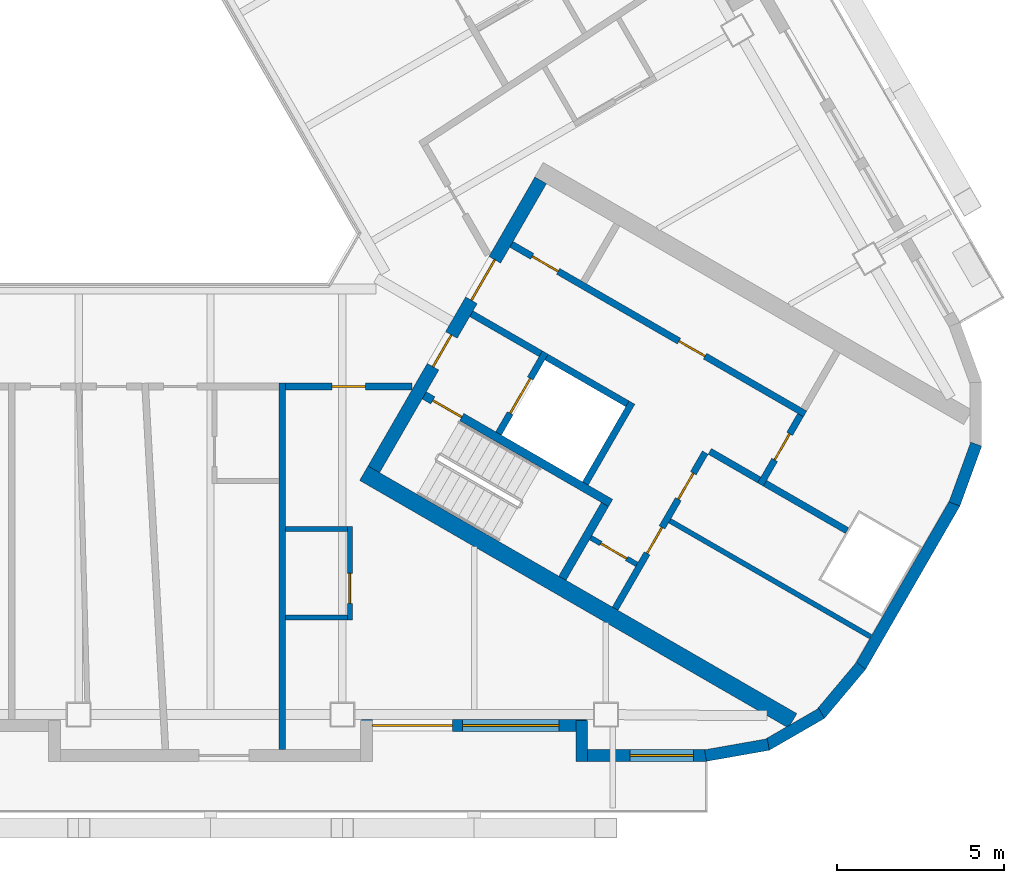
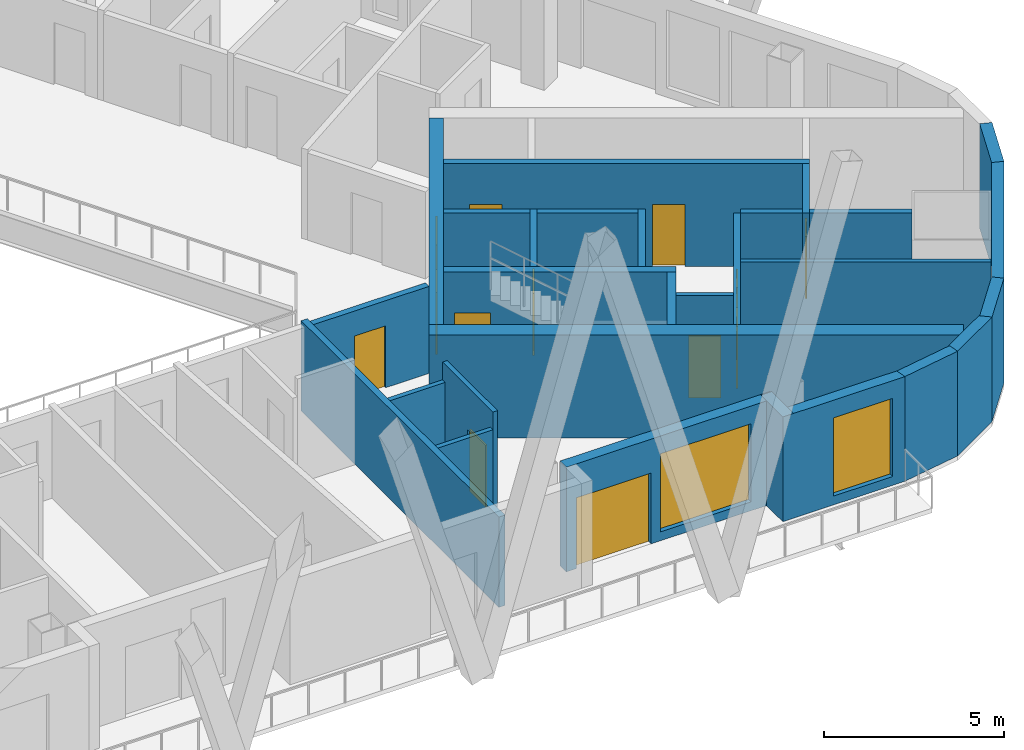
# One storey, part 5 of 14: 28 walls, 13 doors, 2 windows, 15 openings.
"""IFC4 building model written with IfcOpenShell, lengths in metres."""

from ifc_helpers import new_model, si_unit, direction, frame, frame_2d, origin, place, context, subcontext, project, spatial, rectangle, extrude, material, layer, layer_set, type_object, element, fill, save


model = new_model("IFC4")

# Units and contexts
model_context = context("Model", 3, precision=1e-05, world=origin(), true_north=direction((0.0, 1.0)))
body_context = subcontext(model_context, "Body", "Model", "MODEL_VIEW")
ifc_project = project(units=[si_unit("LENGTHUNIT", "METRE"), si_unit("AREAUNIT", "SQUARE_METRE"), si_unit("VOLUMEUNIT", "CUBIC_METRE"), si_unit("PLANEANGLEUNIT", "RADIAN"), si_unit("MASSUNIT", "GRAM", prefix="KILO")], contexts=[model_context])

# Site, building, storey
site_placement = place(None, origin())
site = spatial("IfcSite", under=ifc_project, at=site_placement, CompositionType="ELEMENT")
building_placement = place(site_placement, origin())
building = spatial("IfcBuilding", under=site, at=building_placement, Name="Apuvela Tower Hotel", CompositionType="ELEMENT")
storey_placement = place(building_placement, frame((0.0, 0.0, 224.300048828125)))
storey = spatial("IfcBuildingStorey", under=building, at=storey_placement, Name="L55", CompositionType="ELEMENT", Elevation=224.300048828125)

# Wall, openings, doors
ifc_material_1 = material(Name="Concrete C50/60", Category="concrete")
ifc_layer_1 = layer(ifc_material_1, 0.39990234375)
ifc_layer_set_1 = layer_set([ifc_layer_1], Name="COR-WALL-CORE-400")
wall_type_1 = type_object("IfcWallType", Name="COR-WALL-CORE-400", PredefinedType="SHEAR", material=ifc_layer_set_1)
wall_1_placement = place(storey_placement, frame((8.844970703125, -10.880126953125, 0.0), z_axis=(0.0, 0.0, 1.0), x_axis=(0.500004234368, 0.866022959057, 0.0)))
wall_1 = element("IfcWall", 1, at=wall_1_placement, inside=storey, type_object=wall_type_1, Name="Core wall SE", PredefinedType="SHEAR", context=body_context, shape_type="SweptSolid", body=[
    extrude(rectangle(XDim=10.0, YDim=0.39990234375, at=frame_2d((5.0, 0.0))), origin(), (0.0, 0.0, 1.0), 3.5),
])
opening_1_placement = place(wall_1_placement, frame((3.550048828125, 0.0, 0.0)))
opening_1 = element("IfcOpeningElement", 2, at=opening_1_placement, cuts=wall_1, Name="Opening E-FD", PredefinedType="OPENING", context=body_context, shape_type="SweptSolid", body=[
    extrude(rectangle(XDim=1.10009765625, YDim=2.10009765625, at=frame_2d((0.550048828125, 1.050048828125))), frame((0.0, 0.2099609375, 0.0), z_axis=(0.0, -1.0, 0.0), x_axis=(1.0, 0.0, 0.0)), (0.0, 0.0, 1.0), 0.419921875),
])
opening_2_placement = place(wall_1_placement, frame((5.85009765625, 0.0, 0.0)))
opening_2 = element("IfcOpeningElement", 3, at=opening_2_placement, cuts=wall_1, Name="Opening E-GD", PredefinedType="OPENING", context=body_context, shape_type="SweptSolid", body=[
    extrude(rectangle(XDim=1.39990234375, YDim=2.10009765625, at=frame_2d((0.699951171875, 1.050048828125))), frame((0.0, 0.2099609375, 0.0), z_axis=(0.0, -1.0, 0.0), x_axis=(1.0, 0.0, 0.0)), (0.0, 0.0, 1.0), 0.419921875),
])
ifc_material_2 = material(Name="Steel fire door, powder coated", Category="steel")
door_type_1 = type_object("IfcDoorType", Name="COR-FD-1100", OperationType="NOTDEFINED", PredefinedType="DOOR", material=ifc_material_2)
door_1_placement = place(opening_1_placement, frame((1.10009765625, 0.0, 0.0), z_axis=(0.0, 0.0, 1.0), x_axis=(-1.0, 0.0, 0.0)))
door_1 = element("IfcDoor", 4, at=door_1_placement, inside=storey, type_object=door_type_1, Name="Firefighting lobby door E-FD", OperationType="SINGLE_SWING_LEFT", OverallHeight=2.10009765625, OverallWidth=1.10009765625, PredefinedType="DOOR", context=body_context, shape_type="SweptSolid", body=[
    extrude(rectangle(XDim=1.10009765625, YDim=2.10009765625, at=frame_2d((0.550048828125, 1.050048828125))), frame((0.0, 0.02490234375, 0.0), z_axis=(0.0, -1.0, 0.0), x_axis=(1.0, 0.0, 0.0)), (0.0, 0.0, 1.0), 0.050048828125),
])
fill(opening_1, door_1)
ifc_material_3 = material(Name="Glazed steel fire door", Category="steel")
door_type_2 = type_object("IfcDoorType", Name="COR-GD-1400", OperationType="DOUBLE_DOOR_SINGLE_SWING", PredefinedType="DOOR", material=ifc_material_3)
door_2_placement = place(opening_2_placement, frame((1.39990234375, 0.0, 0.0), z_axis=(0.0, 0.0, 1.0), x_axis=(-1.0, 0.0, 0.0)))
door_2 = element("IfcDoor", 5, at=door_2_placement, inside=storey, type_object=door_type_2, Name="Lift lobby door E-GD", OperationType="DOUBLE_DOOR_SINGLE_SWING", OverallHeight=2.10009765625, OverallWidth=1.39990234375, PredefinedType="DOOR", context=body_context, shape_type="SweptSolid", body=[
    extrude(rectangle(XDim=1.39990234375, YDim=2.10009765625, at=frame_2d((0.699951171875, 1.050048828125))), frame((0.0, 0.02490234375, 0.0), z_axis=(0.0, -1.0, 0.0), x_axis=(1.0, 0.0, 0.0)), (0.0, 0.0, 1.0), 0.050048828125),
])
fill(opening_2, door_2)

# Wall
ifc_layer_2 = layer(ifc_material_1, 0.5)
ifc_layer_set_2 = layer_set([ifc_layer_2], Name="COR-WALL-CORE-500")
wall_type_2 = type_object("IfcWallType", Name="COR-WALL-CORE-500", PredefinedType="SHEAR", material=ifc_layer_set_2)
wall_2_placement = place(storey_placement, frame((8.546630859375, -10.99658203125, 0.0), z_axis=(0.0, 0.0, 1.0), x_axis=(0.866025009528, -0.500000682871, 0.0)))
element("IfcWall", 6, at=wall_2_placement, inside=storey, type_object=wall_type_2, Name="Core wall SE", PredefinedType="SHEAR", context=body_context, shape_type="SweptSolid", body=[
    extrude(rectangle(XDim=14.8369140625, YDim=0.5, at=frame_2d((7.41845703125, 0.0))), origin(), (0.0, 0.0, 1.0), 3.5),
])

# Wall, opening, door
ifc_material_4 = material(Name="Blockwork 150 mm plastered", Category="masonry")
ifc_layer_3 = layer(ifc_material_4, 0.14990234375)
ifc_layer_set_3 = layer_set([ifc_layer_3], Name="COR-WALL-PART-150")
wall_type_3 = type_object("IfcWallType", Name="COR-WALL-PART-150", PredefinedType="PARTITIONING", material=ifc_layer_set_3)
wall_3_placement = place(storey_placement, frame((15.341552734375, -12.927734375, 0.0), z_axis=(0.0, 0.0, 1.0), x_axis=(0.865989903783, -0.500061482766, 0.0)))
wall_3 = element("IfcWall", 7, at=wall_3_placement, inside=storey, type_object=wall_type_3, Name="Partition SE", PredefinedType="PARTITIONING", context=body_context, shape_type="SweptSolid", body=[
    extrude(rectangle(XDim=1.599853515625, YDim=0.14990234375, at=frame_2d((0.7998046875, 0.0))), origin(), (0.0, 0.0, 1.0), 3.5),
])
opening_3_placement = place(wall_3_placement, frame((0.35009765625, 0.0, 0.0)))
opening_3 = element("IfcOpeningElement", 8, at=opening_3_placement, cuts=wall_3, Name="Opening E-RD", PredefinedType="OPENING", context=body_context, shape_type="SweptSolid", body=[
    extrude(rectangle(XDim=0.89990234375, YDim=2.10009765625, at=frame_2d((0.449951171875, 1.050048828125))), frame((0.0, 0.0849609375, 0.0), z_axis=(0.0, -1.0, 0.0), x_axis=(1.0, 0.0, 0.0)), (0.0, 0.0, 1.0), 0.169921875),
])
ifc_material_5 = material(Name="Steel access door, powder coated", Category="steel")
door_type_3 = type_object("IfcDoorType", Name="COR-RD-900", OperationType="NOTDEFINED", PredefinedType="DOOR", material=ifc_material_5)
door_3_placement = place(opening_3_placement, frame((0.89990234375, 0.0, 0.0), z_axis=(0.0, 0.0, 1.0), x_axis=(-1.0, 0.0, 0.0)))
door_3 = element("IfcDoor", 9, at=door_3_placement, inside=storey, type_object=door_type_3, Name="Riser door E-RD", OperationType="SINGLE_SWING_LEFT", OverallHeight=2.10009765625, OverallWidth=0.89990234375, PredefinedType="DOOR", context=body_context, shape_type="SweptSolid", body=[
    extrude(rectangle(XDim=0.89990234375, YDim=2.10009765625, at=frame_2d((0.449951171875, 1.050048828125))), frame((0.0, 0.02490234375, 0.0), z_axis=(0.0, -1.0, 0.0), x_axis=(1.0, 0.0, 0.0)), (0.0, 0.0, 1.0), 0.050048828125),
])
fill(opening_3, door_3)

# Wall
wall_4_placement = place(storey_placement, frame((17.712890625, -12.42041015625, 0.0), z_axis=(0.0, 0.0, 1.0), x_axis=(0.866016523273, -0.500015381182, 0.0)))
element("IfcWall", 10, at=wall_4_placement, inside=storey, type_object=wall_type_3, Name="Partition SE", PredefinedType="PARTITIONING", context=body_context, shape_type="SweptSolid", body=[
    extrude(rectangle(XDim=6.949951171875, YDim=0.14990234375, at=frame_2d((3.47509765625, 0.0))), origin(), (0.0, 0.0, 1.0), 3.5),
])

# Wall, openings, doors
ifc_material_6 = material(Name="Blockwork 200 mm plastered", Category="masonry")
ifc_layer_4 = layer(ifc_material_6, 0.199951171875)
ifc_layer_set_4 = layer_set([ifc_layer_4], Name="COR-WALL-PART-200")
wall_type_4 = type_object("IfcWallType", Name="COR-WALL-PART-200", PredefinedType="PARTITIONING", material=ifc_layer_set_4)
wall_5_placement = place(storey_placement, frame((16.076171875, -15.05517578125, 0.0), z_axis=(0.0, 0.0, 1.0), x_axis=(0.499995103361, 0.866028230842, 0.0)))
wall_5 = element("IfcWall", 11, at=wall_5_placement, inside=storey, type_object=wall_type_4, Name="Partition SE", PredefinedType="PARTITIONING", context=body_context, shape_type="SweptSolid", body=[
    extrude(rectangle(XDim=5.39990234375, YDim=0.199951171875, at=frame_2d((2.699951171875, 0.0))), origin(), (0.0, 0.0, 1.0), 3.5),
])
opening_4_placement = place(wall_5_placement, frame((1.91259765625, 0.0, 0.0)))
opening_4 = element("IfcOpeningElement", 12, at=opening_4_placement, cuts=wall_5, Name="Opening E-RS1", PredefinedType="OPENING", context=body_context, shape_type="SweptSolid", body=[
    extrude(rectangle(XDim=0.89990234375, YDim=2.10009765625, at=frame_2d((0.449951171875, 1.050048828125))), frame((0.0, 0.10986328125, 0.0), z_axis=(0.0, -1.0, 0.0), x_axis=(1.0, 0.0, 0.0)), (0.0, 0.0, 1.0), 0.219970703125),
])
opening_5_placement = place(wall_5_placement, frame((3.78759765625, 0.0, 0.0)))
opening_5 = element("IfcOpeningElement", 13, at=opening_5_placement, cuts=wall_5, Name="Opening E-RS2", PredefinedType="OPENING", context=body_context, shape_type="SweptSolid", body=[
    extrude(rectangle(XDim=0.89990234375, YDim=2.10009765625, at=frame_2d((0.449951171875, 1.050048828125))), frame((0.0, 0.10986328125, 0.0), z_axis=(0.0, -1.0, 0.0), x_axis=(1.0, 0.0, 0.0)), (0.0, 0.0, 1.0), 0.219970703125),
])
door_type_4 = type_object("IfcDoorType", Name="COR-DR-900", OperationType="NOTDEFINED", PredefinedType="DOOR", material=ifc_material_2)
door_4_placement = place(opening_4_placement, frame((0.89990234375, 0.0, 0.0), z_axis=(0.0, 0.0, 1.0), x_axis=(-1.0, 0.0, 0.0)))
door_4 = element("IfcDoor", 14, at=door_4_placement, inside=storey, type_object=door_type_4, Name="Store door E-RS1", OperationType="SINGLE_SWING_LEFT", OverallHeight=2.10009765625, OverallWidth=0.89990234375, PredefinedType="DOOR", context=body_context, shape_type="SweptSolid", body=[
    extrude(rectangle(XDim=0.89990234375, YDim=2.10009765625, at=frame_2d((0.449951171875, 1.050048828125))), frame((0.0, 0.02490234375, 0.0), z_axis=(0.0, -1.0, 0.0), x_axis=(1.0, 0.0, 0.0)), (0.0, 0.0, 1.0), 0.050048828125),
])
fill(opening_4, door_4)
door_5_placement = place(opening_5_placement, frame((0.89990234375, 0.0, 0.0), z_axis=(0.0, 0.0, 1.0), x_axis=(-1.0, 0.0, 0.0)))
door_5 = element("IfcDoor", 15, at=door_5_placement, inside=storey, type_object=door_type_4, Name="Store door E-RS2", OperationType="SINGLE_SWING_LEFT", OverallHeight=2.10009765625, OverallWidth=0.89990234375, PredefinedType="DOOR", context=body_context, shape_type="SweptSolid", body=[
    extrude(rectangle(XDim=0.89990234375, YDim=2.10009765625, at=frame_2d((0.449951171875, 1.050048828125))), frame((0.0, 0.02490234375, 0.0), z_axis=(0.0, -1.0, 0.0), x_axis=(1.0, 0.0, 0.0)), (0.0, 0.0, 1.0), 0.050048828125),
])
fill(opening_5, door_5)

# Wall
ifc_layer_5 = layer(ifc_material_1, 0.199951171875)
ifc_layer_set_5 = layer_set([ifc_layer_5], Name="COR-WALL-SHAFT-200")
wall_type_5 = type_object("IfcWallType", Name="COR-WALL-SHAFT-200", PredefinedType="SHEAR", material=ifc_layer_set_5)
wall_6_placement = place(storey_placement, frame((15.181396484375, -11.305419921875, 0.0), z_axis=(0.0, 0.0, 1.0), x_axis=(0.49994636267, 0.866056369097, 0.0)))
element("IfcWall", 16, at=wall_6_placement, inside=storey, type_object=wall_type_5, Name="Shaft wall SE", PredefinedType="SHEAR", context=body_context, shape_type="SweptSolid", body=[
    extrude(rectangle(XDim=2.800048828125, YDim=0.199951171875, at=frame_2d((1.39990234375, 0.0))), origin(), (0.0, 0.0, 1.0), 3.5),
])

# Wall, opening, door
wall_7_placement = place(storey_placement, frame((12.583251953125, -9.805419921875, 0.0), z_axis=(0.0, 0.0, 1.0), x_axis=(0.49994636267, 0.866056369097, 0.0)))
wall_7 = element("IfcWall", 17, at=wall_7_placement, inside=storey, type_object=wall_type_5, Name="Shaft wall SE", PredefinedType="SHEAR", context=body_context, shape_type="SweptSolid", body=[
    extrude(rectangle(XDim=2.800048828125, YDim=0.199951171875, at=frame_2d((1.39990234375, 0.0))), origin(), (0.0, 0.0, 1.0), 3.5),
])
opening_6_placement = place(wall_7_placement, frame((0.699951171875, 0.0, 0.0)))
opening_6 = element("IfcOpeningElement", 18, at=opening_6_placement, cuts=wall_7, Name="Opening E-LD-FS3", PredefinedType="OPENING", context=body_context, shape_type="SweptSolid", body=[
    extrude(rectangle(XDim=1.199951171875, YDim=2.10009765625, at=frame_2d((0.60009765625, 1.050048828125))), frame((0.0, 0.10986328125, 0.0), z_axis=(0.0, -1.0, 0.0), x_axis=(1.0, 0.0, 0.0)), (0.0, 0.0, 1.0), 0.219970703125),
])
ifc_material_7 = material(Name="Stainless steel lift landing door", Category="steel")
door_type_5 = type_object("IfcDoorType", Name="COR-LD-1200", OperationType="DOUBLE_DOOR_SLIDING", PredefinedType="DOOR", material=ifc_material_7)
door_6_placement = place(opening_6_placement, origin())
door_6 = element("IfcDoor", 19, at=door_6_placement, inside=storey, type_object=door_type_5, Name="Lift landing door E-LD-FS3", OperationType="DOUBLE_DOOR_SLIDING", OverallHeight=2.10009765625, OverallWidth=1.199951171875, PredefinedType="DOOR", context=body_context, shape_type="SweptSolid", body=[
    extrude(rectangle(XDim=1.199951171875, YDim=2.10009765625, at=frame_2d((0.60009765625, 1.050048828125))), frame((0.0, 0.02490234375, 0.0), z_axis=(0.0, -1.0, 0.0), x_axis=(1.0, 0.0, 0.0)), (0.0, 0.0, 1.0), 0.050048828125),
])
fill(opening_6, door_6)

# Walls
wall_8_placement = place(storey_placement, frame((11.76806640625, -6.217041015625, 0.0), z_axis=(0.0, 0.0, 1.0), x_axis=(0.866050077142, -0.499957262057, 0.0)))
element("IfcWall", 20, at=wall_8_placement, inside=storey, type_object=wall_type_5, Name="Shaft wall SE", PredefinedType="SHEAR", context=body_context, shape_type="SweptSolid", body=[
    extrude(rectangle(XDim=2.400146484375, YDim=0.199951171875, at=frame_2d((1.2001953125, 0.0))), origin(), (0.0, 0.0, 1.0), 3.5),
])
wall_9_placement = place(storey_placement, frame((14.019775390625, -7.51708984375, 0.0), z_axis=(0.0, 0.0, 1.0), x_axis=(0.866034573852, -0.49998411664, 0.0)))
element("IfcWall", 21, at=wall_9_placement, inside=storey, type_object=wall_type_5, Name="Shaft wall SE", PredefinedType="SHEAR", context=body_context, shape_type="SweptSolid", body=[
    extrude(rectangle(XDim=2.7998046875, YDim=0.199951171875, at=frame_2d((1.39990234375, 0.0))), origin(), (0.0, 0.0, 1.0), 3.5),
])

# Wall, openings, doors
wall_10_placement = place(storey_placement, frame((12.968017578125, -4.138427734375, 0.0), z_axis=(0.0, 0.0, 1.0), x_axis=(0.866028328073, -0.49999493495, 0.0)))
wall_10 = element("IfcWall", 22, at=wall_10_placement, inside=storey, type_object=wall_type_5, Name="Shaft wall SE", PredefinedType="SHEAR", context=body_context, shape_type="SweptSolid", body=[
    extrude(rectangle(XDim=10.16015625, YDim=0.199951171875, at=frame_2d((5.080078125, 0.0))), origin(), (0.0, 0.0, 1.0), 3.5),
])
opening_7_placement = place(wall_10_placement, frame((0.719970703125, 0.0, 0.0)))
opening_7 = element("IfcOpeningElement", 23, at=opening_7_placement, cuts=wall_10, Name="Opening E-RE1", PredefinedType="OPENING", context=body_context, shape_type="SweptSolid", body=[
    extrude(rectangle(XDim=0.89990234375, YDim=2.10009765625, at=frame_2d((0.449951171875, 1.050048828125))), frame((0.0, 0.10986328125, 0.0), z_axis=(0.0, -1.0, 0.0), x_axis=(1.0, 0.0, 0.0)), (0.0, 0.0, 1.0), 0.219970703125),
])
opening_8_placement = place(wall_10_placement, frame((5.800048828125, 0.0, 0.0)))
opening_8 = element("IfcOpeningElement", 24, at=opening_8_placement, cuts=wall_10, Name="Opening E-RE2", PredefinedType="OPENING", context=body_context, shape_type="SweptSolid", body=[
    extrude(rectangle(XDim=0.89990234375, YDim=2.10009765625, at=frame_2d((0.449951171875, 1.050048828125))), frame((0.0, 0.10986328125, 0.0), z_axis=(0.0, -1.0, 0.0), x_axis=(1.0, 0.0, 0.0)), (0.0, 0.0, 1.0), 0.219970703125),
])
door_7_placement = place(opening_7_placement, origin())
door_7 = element("IfcDoor", 25, at=door_7_placement, inside=storey, type_object=door_type_4, Name="Store door E-RE1", OperationType="SINGLE_SWING_LEFT", OverallHeight=2.10009765625, OverallWidth=0.89990234375, PredefinedType="DOOR", context=body_context, shape_type="SweptSolid", body=[
    extrude(rectangle(XDim=0.89990234375, YDim=2.10009765625, at=frame_2d((0.449951171875, 1.050048828125))), frame((0.0, 0.02490234375, 0.0), z_axis=(0.0, -1.0, 0.0), x_axis=(1.0, 0.0, 0.0)), (0.0, 0.0, 1.0), 0.050048828125),
])
fill(opening_7, door_7)
door_8_placement = place(opening_8_placement, origin())
door_8 = element("IfcDoor", 26, at=door_8_placement, inside=storey, type_object=door_type_4, Name="Store door E-RE2", OperationType="SINGLE_SWING_LEFT", OverallHeight=2.10009765625, OverallWidth=0.89990234375, PredefinedType="DOOR", context=body_context, shape_type="SweptSolid", body=[
    extrude(rectangle(XDim=0.89990234375, YDim=2.10009765625, at=frame_2d((0.449951171875, 1.050048828125))), frame((0.0, 0.02490234375, 0.0), z_axis=(0.0, -1.0, 0.0), x_axis=(1.0, 0.0, 0.0)), (0.0, 0.0, 1.0), 0.050048828125),
])
fill(opening_8, door_8)

# Wall, opening, door
wall_11_placement = place(storey_placement, frame((20.430419921875, -11.33349609375, 0.0), z_axis=(0.0, 0.0, 1.0), x_axis=(0.500001309137, 0.866024647952, 0.0)))
wall_11 = element("IfcWall", 27, at=wall_11_placement, inside=storey, type_object=wall_type_5, Name="Shaft wall SE", PredefinedType="SHEAR", context=body_context, shape_type="SweptSolid", body=[
    extrude(rectangle(XDim=2.39990234375, YDim=0.199951171875, at=frame_2d((1.199951171875, 0.0))), origin(), (0.0, 0.0, 1.0), 3.5),
])
opening_9_placement = place(wall_11_placement, frame((0.85009765625, 0.0, 0.0)))
opening_9 = element("IfcOpeningElement", 28, at=opening_9_placement, cuts=wall_11, Name="Opening E-REP", PredefinedType="OPENING", context=body_context, shape_type="SweptSolid", body=[
    extrude(rectangle(XDim=0.89990234375, YDim=2.10009765625, at=frame_2d((0.449951171875, 1.050048828125))), frame((0.0, 0.10986328125, 0.0), z_axis=(0.0, -1.0, 0.0), x_axis=(1.0, 0.0, 0.0)), (0.0, 0.0, 1.0), 0.219970703125),
])
door_9_placement = place(opening_9_placement, frame((0.89990234375, 0.0, 0.0), z_axis=(0.0, 0.0, 1.0), x_axis=(-1.0, 0.0, 0.0)))
door_9 = element("IfcDoor", 29, at=door_9_placement, inside=storey, type_object=door_type_4, Name="Store door E-REP", OperationType="SINGLE_SWING_RIGHT", OverallHeight=2.10009765625, OverallWidth=0.89990234375, PredefinedType="DOOR", context=body_context, shape_type="SweptSolid", body=[
    extrude(rectangle(XDim=0.89990234375, YDim=2.10009765625, at=frame_2d((0.449951171875, 1.050048828125))), frame((0.0, 0.02490234375, 0.0), z_axis=(0.0, -1.0, 0.0), x_axis=(1.0, 0.0, 0.0)), (0.0, 0.0, 1.0), 0.050048828125),
])
fill(opening_9, door_9)

# Walls
wall_12_placement = place(storey_placement, frame((18.912841796875, -10.342041015625, 0.0), z_axis=(0.0, 0.0, 1.0), x_axis=(0.866038183914, -0.499977863513, 0.0)))
element("IfcWall", 30, at=wall_12_placement, inside=storey, type_object=wall_type_5, Name="Shaft wall SE", PredefinedType="SHEAR", context=body_context, shape_type="SweptSolid", body=[
    extrude(rectangle(XDim=1.7099609375, YDim=0.199951171875, at=frame_2d((0.85498046875, 0.0))), origin(), (0.0, 0.0, 1.0), 3.5),
])
wall_13_placement = place(storey_placement, frame((20.56689453125, -11.297119140625, 0.0), z_axis=(0.0, 0.0, 1.0), x_axis=(0.866055327414, -0.49994816717, 0.0)))
element("IfcWall", 31, at=wall_13_placement, inside=storey, type_object=wall_type_5, Name="Shaft wall SE", PredefinedType="SHEAR", context=body_context, shape_type="SweptSolid", body=[
    extrude(rectangle(XDim=2.840087890625, YDim=0.199951171875, at=frame_2d((1.419921875, 0.0))), origin(), (0.0, 0.0, 1.0), 3.5),
])

# Wall, opening, door
ifc_layer_6 = layer(ifc_material_1, 0.25)
ifc_layer_set_6 = layer_set([ifc_layer_6], Name="COR-WALL-STAIR-250")
wall_type_6 = type_object("IfcWallType", Name="COR-WALL-STAIR-250", PredefinedType="SHEAR", material=ifc_layer_set_6)
wall_14_placement = place(storey_placement, frame((10.355712890625, -8.66357421875, 0.0), z_axis=(0.0, 0.0, 1.0), x_axis=(0.866028629588, -0.499994412703, 0.0)))
wall_14 = element("IfcWall", 32, at=wall_14_placement, inside=storey, type_object=wall_type_6, Name="Stair wall SE", PredefinedType="SHEAR", context=body_context, shape_type="SweptSolid", body=[
    extrude(rectangle(XDim=6.44970703125, YDim=0.25, at=frame_2d((3.224853515625, 0.0))), origin(), (0.0, 0.0, 1.0), 3.5),
])
opening_10_placement = place(wall_14_placement, frame((0.300048828125, 0.0, 0.0)))
opening_10 = element("IfcOpeningElement", 33, at=opening_10_placement, cuts=wall_14, Name="Opening E-SD", PredefinedType="OPENING", context=body_context, shape_type="SweptSolid", body=[
    extrude(rectangle(XDim=1.0, YDim=2.10009765625, at=frame_2d((0.5, 1.050048828125))), frame((0.0, 0.135009765625, 0.0), z_axis=(0.0, -1.0, 0.0), x_axis=(1.0, 0.0, 0.0)), (0.0, 0.0, 1.0), 0.27001953125),
])
door_type_6 = type_object("IfcDoorType", Name="COR-SD-1000", OperationType="NOTDEFINED", PredefinedType="DOOR", material=ifc_material_2)
door_10_placement = place(opening_10_placement, frame((1.0, 0.0, 0.0), z_axis=(0.0, 0.0, 1.0), x_axis=(-1.0, 0.0, 0.0)))
door_10 = element("IfcDoor", 34, at=door_10_placement, inside=storey, type_object=door_type_6, Name="Stair door E-SD", OperationType="SINGLE_SWING_LEFT", OverallHeight=2.10009765625, OverallWidth=1.0, PredefinedType="DOOR", context=body_context, shape_type="SweptSolid", body=[
    extrude(rectangle(XDim=1.0, YDim=2.10009765625, at=frame_2d((0.5, 1.050048828125))), frame((0.0, 0.02490234375, 0.0), z_axis=(0.0, -1.0, 0.0), x_axis=(1.0, 0.0, 0.0)), (0.0, 0.0, 1.0), 0.050048828125),
])
fill(opening_10, door_10)

# Wall
wall_15_placement = place(storey_placement, frame((14.49560546875, -14.142578125, 0.0), z_axis=(0.0, 0.0, 1.0), x_axis=(0.500062241894, 0.865989465428, 0.0)))
element("IfcWall", 35, at=wall_15_placement, inside=storey, type_object=wall_type_6, Name="Stair wall SE", PredefinedType="SHEAR", context=body_context, shape_type="SweptSolid", body=[
    extrude(rectangle(XDim=2.550048828125, YDim=0.25, at=frame_2d((1.27490234375, 0.0))), origin(), (0.0, 0.0, 1.0), 3.5),
])

# Wall, openings, door, window
ifc_material_8 = material(Name="Concrete C40/50, dark pigmented precast panel", Category="concrete")
ifc_layer_7 = layer(ifc_material_8, 0.35009765625)
ifc_layer_set_7 = layer_set([ifc_layer_7], Name="ENV-WALL-350")
wall_type_7 = type_object("IfcWallType", Name="ENV-WALL-350", PredefinedType="SOLIDWALL", material=ifc_layer_set_7)
wall_16_placement = place(storey_placement, frame((8.47998046875, -18.554931640625, 0.0), z_axis=(0.0, 0.0, 1.0), x_axis=(1.0, 0.0, 0.0)))
wall_16 = element("IfcWall", 36, at=wall_16_placement, inside=storey, type_object=wall_type_7, Name="External wall L55-23", PredefinedType="SOLIDWALL", context=body_context, shape_type="SweptSolid", body=[
    extrude(rectangle(XDim=6.739990234375, YDim=0.35009765625, at=frame_2d((3.3701171875, 0.0))), origin(), (0.0, 0.0, 1.0), 3.550048828125),
])
opening_11_placement = place(wall_16_placement, frame((0.3203125, 0.0, 0.0)))
opening_11 = element("IfcOpeningElement", 37, at=opening_11_placement, cuts=wall_16, Name="Opening BD24", PredefinedType="OPENING", context=body_context, shape_type="SweptSolid", body=[
    extrude(rectangle(XDim=2.39990234375, YDim=2.39990234375, at=frame_2d((1.199951171875, 1.199951171875))), frame((0.0, 0.18505859375, 0.0), z_axis=(0.0, -1.0, 0.0), x_axis=(1.0, 0.0, 0.0)), (0.0, 0.0, 1.0), 0.3701171875),
])
opening_12_placement = place(wall_16_placement, frame((3.020263671875, 0.0, 0.300048828125)))
opening_12 = element("IfcOpeningElement", 38, at=opening_12_placement, cuts=wall_16, Name="Opening WN29", PredefinedType="OPENING", context=body_context, shape_type="SweptSolid", body=[
    extrude(rectangle(XDim=2.89990234375, YDim=2.64990234375, at=frame_2d((1.449951171875, 1.324951171875))), frame((0.0, 0.18505859375, 0.0), z_axis=(0.0, -1.0, 0.0), x_axis=(1.0, 0.0, 0.0)), (0.0, 0.0, 1.0), 0.3701171875),
])
ifc_material_9 = material(Name="Aluminium 6063-T6, dark bronze anodised frame with dark tinted laminated glass", Category="aluminium")
door_type_7 = type_object("IfcDoorType", Name="ENV-DOOR-BALCONY-2400x2400", OperationType="SLIDING_TO_LEFT", PredefinedType="DOOR", material=ifc_material_9)
door_11_placement = place(opening_11_placement, frame((2.39990234375, 0.0, 0.0), z_axis=(0.0, 0.0, 1.0), x_axis=(-1.0, 0.0, 0.0)))
door_11 = element("IfcDoor", 39, at=door_11_placement, inside=storey, type_object=door_type_7, Name="Balcony door BD24", OperationType="SLIDING_TO_LEFT", OverallHeight=2.39990234375, OverallWidth=2.39990234375, PredefinedType="DOOR", context=body_context, shape_type="SweptSolid", body=[
    extrude(rectangle(XDim=2.39990234375, YDim=2.39990234375, at=frame_2d((1.199951171875, 1.199951171875))), frame((0.0, 0.02490234375, 0.0), z_axis=(0.0, -1.0, 0.0), x_axis=(1.0, 0.0, 0.0)), (0.0, 0.0, 1.0), 0.050048828125),
])
fill(opening_11, door_11)
ifc_material_10 = material(Name="Glass, dark tinted laminated insulated glazing unit", Category="glass")
window_type_1 = type_object("IfcWindowType", Name="ENV-WIN-2900x2650", PartitioningType="SINGLE_PANEL", PredefinedType="WINDOW", material=ifc_material_10)
window_1_placement = place(opening_12_placement, origin())
window_1 = element("IfcWindow", 40, at=window_1_placement, inside=storey, type_object=window_type_1, Name="Window WN29", OverallHeight=2.64990234375, OverallWidth=2.89990234375, PartitioningType="SINGLE_PANEL", PredefinedType="WINDOW", context=body_context, shape_type="SweptSolid", body=[
    extrude(rectangle(XDim=2.89990234375, YDim=2.64990234375, at=frame_2d((1.449951171875, 1.324951171875))), frame((0.0, 0.030029296875, 0.0), z_axis=(0.0, -1.0, 0.0), x_axis=(1.0, 0.0, 0.0)), (0.0, 0.0, 1.0), 0.06005859375),
])
fill(opening_12, window_1)

# Wall
wall_17_placement = place(storey_placement, frame((15.074951171875, -18.409912109375, 0.0), z_axis=(0.0, 0.0, 1.0), x_axis=(0.0, -1.0, 0.0)))
element("IfcWall", 41, at=wall_17_placement, inside=storey, type_object=wall_type_7, Name="External wall L55-24", PredefinedType="SOLIDWALL", context=body_context, shape_type="SweptSolid", body=[
    extrude(rectangle(XDim=1.219970703125, YDim=0.35009765625, at=frame_2d((0.60986328125, 0.0))), origin(), (0.0, 0.0, 1.0), 3.550048828125),
])

# Wall, opening, window
wall_18_placement = place(storey_placement, frame((14.89990234375, -19.455078125, 0.0), z_axis=(0.0, 0.0, 1.0), x_axis=(1.0, 0.0, 0.0)))
wall_18 = element("IfcWall", 42, at=wall_18_placement, inside=storey, type_object=wall_type_7, Name="External wall L55-25", PredefinedType="SOLIDWALL", context=body_context, shape_type="SweptSolid", body=[
    extrude(rectangle(XDim=3.916015625, YDim=0.35009765625, at=frame_2d((1.9580078125, 0.0))), origin(), (0.0, 0.0, 1.0), 3.550048828125),
])
opening_13_placement = place(wall_18_placement, frame((1.624755859375, 0.0, 0.300048828125)))
opening_13 = element("IfcOpeningElement", 43, at=opening_13_placement, cuts=wall_18, Name="Opening WN19", PredefinedType="OPENING", context=body_context, shape_type="SweptSolid", body=[
    extrude(rectangle(XDim=1.89990234375, YDim=2.64990234375, at=frame_2d((0.949951171875, 1.324951171875))), frame((0.0, 0.18505859375, 0.0), z_axis=(0.0, -1.0, 0.0), x_axis=(1.0, 0.0, 0.0)), (0.0, 0.0, 1.0), 0.3701171875),
])
window_type_2 = type_object("IfcWindowType", Name="ENV-WIN-1900x2650", PartitioningType="SINGLE_PANEL", PredefinedType="WINDOW", material=ifc_material_10)
window_2_placement = place(opening_13_placement, origin())
window_2 = element("IfcWindow", 44, at=window_2_placement, inside=storey, type_object=window_type_2, Name="Window WN19", OverallHeight=2.64990234375, OverallWidth=1.89990234375, PartitioningType="SINGLE_PANEL", PredefinedType="WINDOW", context=body_context, shape_type="SweptSolid", body=[
    extrude(rectangle(XDim=1.89990234375, YDim=2.64990234375, at=frame_2d((0.949951171875, 1.324951171875))), frame((0.0, 0.030029296875, 0.0), z_axis=(0.0, -1.0, 0.0), x_axis=(1.0, 0.0, 0.0)), (0.0, 0.0, 1.0), 0.06005859375),
])
fill(opening_13, window_2)

# Walls
wall_19_placement = place(storey_placement, frame((18.785400390625, -19.457763671875, 0.0), z_axis=(0.0, 0.0, 1.0), x_axis=(0.984798995425, 0.173697837091, 0.0)))
element("IfcWall", 45, at=wall_19_placement, inside=storey, type_object=wall_type_7, Name="External wall L55-26", PredefinedType="SOLIDWALL", context=body_context, shape_type="SweptSolid", body=[
    extrude(rectangle(XDim=1.91015625, YDim=0.35009765625, at=frame_2d((0.955078125, 0.0))), origin(), (0.0, 0.0, 1.0), 3.550048828125),
])
for number, where, z_axis, x_axis, name in (
    (46, (20.609619140625, -19.146728515625, 0.0), (0.0, 0.0, 1.0), (0.866000389056, 0.500043324278, 0.0), "External wall L55-27"),
    (47, (22.21728515625, -18.230712890625, 0.0), (0.0, 0.0, 1.0), (0.642733291068, 0.76609001857, 0.0), "External wall L55-28"),
):
    element("IfcWall", number, at=place(storey_placement, frame(where, z_axis=z_axis, x_axis=x_axis)), inside=storey, type_object=wall_type_7, Name=name, PredefinedType="SOLIDWALL", context=body_context, shape_type="SweptSolid", body=[
        extrude(rectangle(XDim=1.909912109375, YDim=0.35009765625, at=frame_2d((0.955078125, 0.0))), origin(), (0.0, 0.0, 1.0), 3.550048828125),
    ])
wall_20_placement = place(storey_placement, frame((23.427490234375, -16.79248046875, 0.0), z_axis=(0.0, 0.0, 1.0), x_axis=(0.500018773155, 0.866014564827, 0.0)))
element("IfcWall", 48, at=wall_20_placement, inside=storey, type_object=wall_type_7, Name="External wall L55-29", PredefinedType="SOLIDWALL", context=body_context, shape_type="SweptSolid", body=[
    extrude(rectangle(XDim=5.657958984375, YDim=0.35009765625, at=frame_2d((2.8291015625, 0.0))), origin(), (0.0, 0.0, 1.0), 3.550048828125),
])
wall_21_placement = place(storey_placement, frame((26.24365234375, -11.920166015625, 0.0), z_axis=(0.0, 0.0, 1.0), x_axis=(0.342030395486, 0.939688889242, 0.0)))
element("IfcWall", 49, at=wall_21_placement, inside=storey, type_object=wall_type_7, Name="External wall L55-30", PredefinedType="SOLIDWALL", context=body_context, shape_type="SweptSolid", body=[
    extrude(rectangle(XDim=1.91015625, YDim=0.35009765625, at=frame_2d((0.955078125, 0.0))), origin(), (0.0, 0.0, 1.0), 3.550048828125),
])
ifc_material_11 = material(Name="Gypsum board partition on twin steel stud", Category="steel")
ifc_layer_8 = layer(ifc_material_11, 0.199951171875)
ifc_layer_set_8 = layer_set([ifc_layer_8], Name="GST-PW1")
wall_type_8 = type_object("IfcWallType", Name="GST-PW1", PredefinedType="PARTITIONING", material=ifc_layer_set_8)
wall_22_placement = place(storey_placement, frame((6.10009765625, -19.280029296875, 0.0), z_axis=(0.0, 0.0, 1.0), x_axis=(0.0, 1.0, 0.0)))
element("IfcWall", 50, at=wall_22_placement, inside=storey, type_object=wall_type_8, Name="L55 partition 04", PredefinedType="PARTITIONING", context=body_context, shape_type="SweptSolid", body=[
    extrude(rectangle(XDim=10.97998046875, YDim=0.199951171875, at=frame_2d((5.489990234375, 0.0))), origin(), (0.0, 0.0, 1.0), 3.06005859375),
])

# Wall, opening, door
ifc_material_12 = material(Name="Gypsum board corridor wall on twin steel stud, acoustic", Category="steel")
ifc_layer_9 = layer(ifc_material_12, 0.199951171875)
ifc_layer_set_9 = layer_set([ifc_layer_9], Name="GST-PW2")
wall_type_9 = type_object("IfcWallType", Name="GST-PW2", PredefinedType="PARTITIONING", material=ifc_layer_set_9)
wall_23_placement = place(storey_placement, frame((9.98828125, -8.39990234375, 0.0), z_axis=(0.0, 0.0, 1.0), x_axis=(-1.0, 0.0, 0.0)))
wall_23 = element("IfcWall", 51, at=wall_23_placement, inside=storey, type_object=wall_type_9, Name="L55 partition 26", PredefinedType="PARTITIONING", context=body_context, shape_type="SweptSolid", body=[
    extrude(rectangle(XDim=3.788330078125, YDim=0.199951171875, at=frame_2d((1.89404296875, 0.0))), origin(), (0.0, 0.0, 1.0), 2.949951171875),
])
opening_14_placement = place(wall_23_placement, frame((1.39404296875, 0.0, 0.0)))
opening_14 = element("IfcOpeningElement", 52, at=opening_14_placement, cuts=wall_23, Name="Opening GD22-10", PredefinedType="OPENING", context=body_context, shape_type="SweptSolid", body=[
    extrude(rectangle(XDim=1.0, YDim=2.10009765625, at=frame_2d((0.5, 1.050048828125))), frame((0.0, 0.10986328125, 0.0), z_axis=(0.0, -1.0, 0.0), x_axis=(1.0, 0.0, 0.0)), (0.0, 0.0, 1.0), 0.219970703125),
])
ifc_material_13 = material(Name="Timber door leaf in steel frame", Category="steel")
door_type_8 = type_object("IfcDoorType", Name="GST-D1", OperationType="NOTDEFINED", PredefinedType="DOOR", material=ifc_material_13)
door_12_placement = place(opening_14_placement, origin())
door_12 = element("IfcDoor", 53, at=door_12_placement, inside=storey, type_object=door_type_8, Name="Door L55-10", OperationType="SINGLE_SWING_RIGHT", OverallHeight=2.10009765625, OverallWidth=1.0, PredefinedType="DOOR", context=body_context, shape_type="SweptSolid", body=[
    extrude(rectangle(XDim=1.0, YDim=2.10009765625, at=frame_2d((0.5, 1.050048828125))), frame((0.0, 0.02490234375, 0.0), z_axis=(0.0, -1.0, 0.0), x_axis=(1.0, 0.0, 0.0)), (0.0, 0.0, 1.0), 0.050048828125),
])
fill(opening_14, door_12)

ifc_material_14 = material(Name="Moisture-resistant gypsum board wet wall on steel stud", Category="steel")
ifc_layer_10 = layer(ifc_material_14, 0.14990234375)
ifc_layer_set_10 = layer_set([ifc_layer_10], Name="GST-PW3")
wall_type_10 = type_object("IfcWallType", Name="GST-PW3", PredefinedType="PARTITIONING", material=ifc_layer_set_10)
wall_24_placement = place(storey_placement, frame((8.125, -15.39990234375, 0.0), z_axis=(0.0, 0.0, 1.0), x_axis=(0.0, 1.0, 0.0)))
wall_24 = element("IfcWall", 54, at=wall_24_placement, inside=storey, type_object=wall_type_10, Name="L55 partition 27", PredefinedType="PARTITIONING", context=body_context, shape_type="SweptSolid", body=[
    extrude(rectangle(XDim=2.7998046875, YDim=0.14990234375, at=frame_2d((1.39990234375, 0.0))), origin(), (0.0, 0.0, 1.0), 3.550048828125),
])
opening_15_placement = place(wall_24_placement, frame((0.5, 0.0, 0.0)))
opening_15 = element("IfcOpeningElement", 55, at=opening_15_placement, cuts=wall_24, Name="Opening GD22-09", PredefinedType="OPENING", context=body_context, shape_type="SweptSolid", body=[
    extrude(rectangle(XDim=0.89990234375, YDim=2.10009765625, at=frame_2d((0.449951171875, 1.050048828125))), frame((0.0, 0.0849609375, 0.0), z_axis=(0.0, -1.0, 0.0), x_axis=(1.0, 0.0, 0.0)), (0.0, 0.0, 1.0), 0.169921875),
])
door_type_9 = type_object("IfcDoorType", Name="GST-D2", OperationType="NOTDEFINED", PredefinedType="DOOR", material=ifc_material_13)
door_13_placement = place(opening_15_placement, origin())
door_13 = element("IfcDoor", 56, at=door_13_placement, inside=storey, type_object=door_type_9, Name="Door L55-09", OperationType="SINGLE_SWING_LEFT", OverallHeight=2.10009765625, OverallWidth=0.89990234375, PredefinedType="DOOR", context=body_context, shape_type="SweptSolid", body=[
    extrude(rectangle(XDim=0.89990234375, YDim=2.10009765625, at=frame_2d((0.449951171875, 1.050048828125))), frame((0.0, 0.02490234375, 0.0), z_axis=(0.0, -1.0, 0.0), x_axis=(1.0, 0.0, 0.0)), (0.0, 0.0, 1.0), 0.050048828125),
])
fill(opening_15, door_13)

# Walls
for number, where, z_axis, x_axis, name in (
    (57, (6.199951171875, -15.324951171875, 0.0), (0.0, 0.0, 1.0), (1.0, 0.0, 0.0), "L55 partition 28"),
    (58, (6.199951171875, -12.675048828125, 0.0), (0.0, 0.0, 1.0), (1.0, 0.0, 0.0), "L55 partition 29"),
):
    element("IfcWall", number, at=place(storey_placement, frame(where, z_axis=z_axis, x_axis=x_axis)), inside=storey, type_object=wall_type_10, Name=name, PredefinedType="PARTITIONING", context=body_context, shape_type="SweptSolid", body=[
        extrude(rectangle(XDim=1.85009765625, YDim=0.14990234375, at=frame_2d((0.925048828125, 0.0))), origin(), (0.0, 0.0, 1.0), 2.949951171875),
    ])

save(model, "model.ifc")
